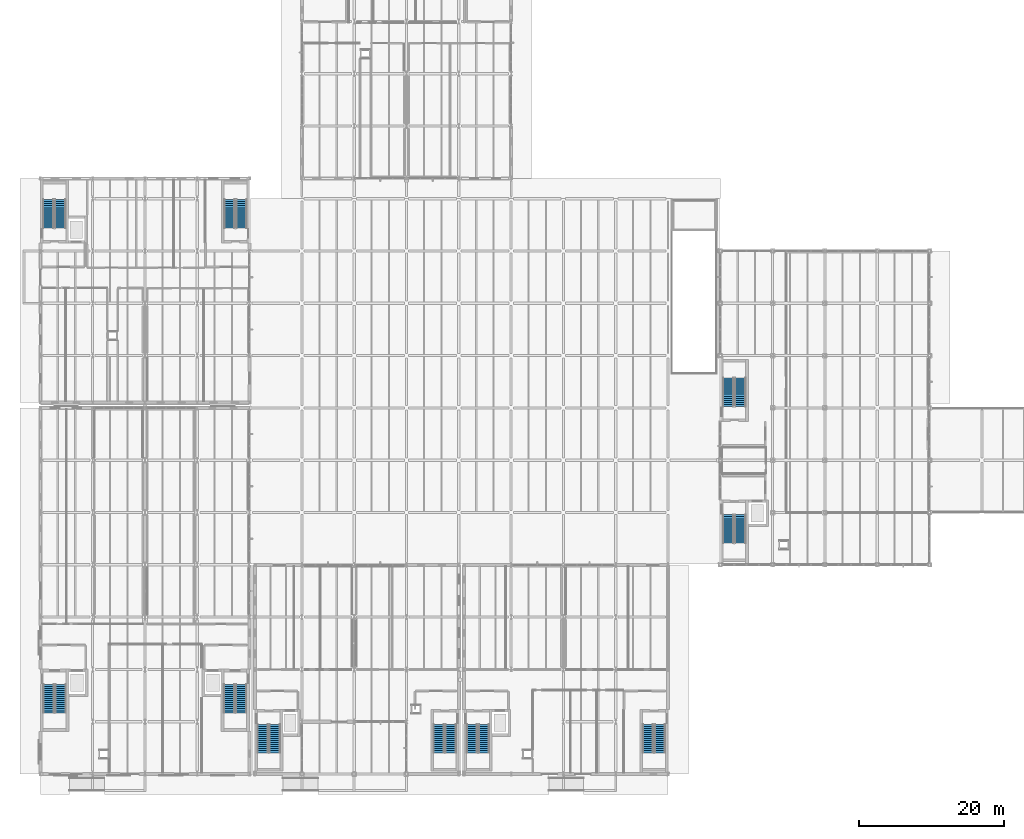
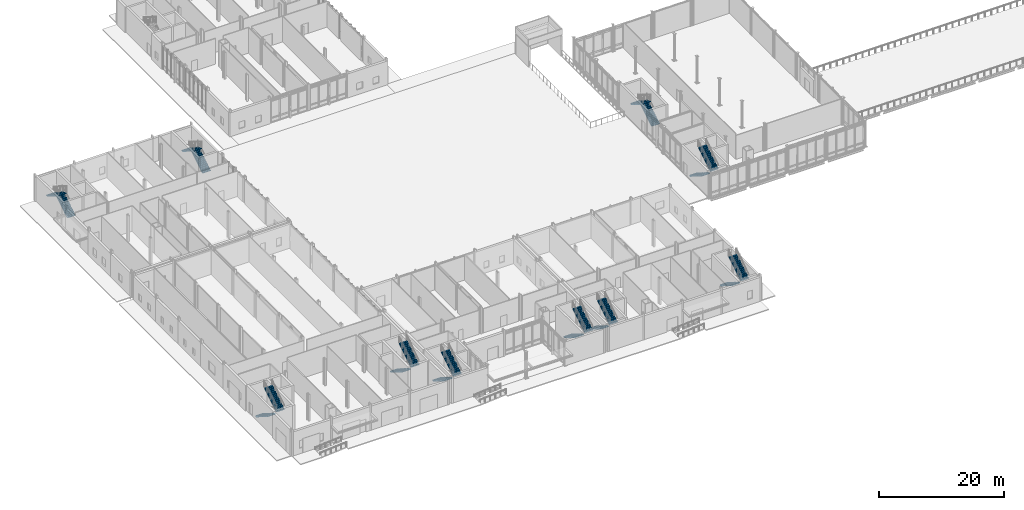
# One storey, part 71 of 89: 20 stair flights, 10 elements without a shape of their own.
"""IFC4 building model written with IfcOpenShell, lengths in metres."""

from ifc_helpers import new_model, si_unit, direction, frame, origin, place, context, subcontext, project, spatial, polyline, outline, extrude, material, type_object, element, aggregate, save


model = new_model("IFC4")

# Units and contexts
model_context = context("Model", 3, precision=1e-05, world=origin(), true_north=direction((0.0, 1.0)))
body_context = subcontext(model_context, "Body", "Model", "MODEL_VIEW")
ifc_project = project(units=[si_unit("LENGTHUNIT", "METRE"), si_unit("AREAUNIT", "SQUARE_METRE"), si_unit("VOLUMEUNIT", "CUBIC_METRE"), si_unit("PLANEANGLEUNIT", "RADIAN"), si_unit("MASSUNIT", "GRAM", prefix="KILO")], contexts=[model_context])

# Site, building, storey
site_placement = place(None, origin())
site = spatial("IfcSite", under=ifc_project, at=site_placement, CompositionType="ELEMENT")
building_placement = place(site_placement, origin())
building = spatial("IfcBuilding", under=site, at=building_placement, Name="Zarrinpeak Specialist Clinic", CompositionType="ELEMENT")
storey_placement = place(building_placement, origin())
storey = spatial("IfcBuildingStorey", under=building, at=storey_placement, Name="L00", CompositionType="ELEMENT", Elevation=0.0)

# Stair, stair flights
ifc_material = material(Name="Concrete C35/45", Category="concrete")
stair_type = type_object("IfcStairType", Name="ST-DOG", PredefinedType="HALF_TURN_STAIR", material=ifc_material)
stair_1_placement = place(storey_placement, origin())
stair_1 = element("IfcStair", 1, at=stair_1_placement, inside=storey, type_object=stair_type, Name="L00 Protected Exit Stair ST-01", PredefinedType="HALF_TURN_STAIR")
stair_flight_type = type_object("IfcStairFlightType", Name="STF-150", PredefinedType="STRAIGHT", material=ifc_material)
stair_flight_1_placement = place(storey_placement, frame((1.14990234375, 12.35009765625, 0.0), z_axis=(0.0, 0.0, 1.0), x_axis=(0.0, -1.0, 0.0)))
stair_flight_1 = element("IfcStairFlight", 2, at=stair_flight_1_placement, type_object=stair_flight_type, Name="ST-01 flight 1", NumberOfRisers=15, NumberOfTreads=14, PredefinedType="STRAIGHT", RiserHeight=0.173333333, TreadLength=0.28, context=body_context, shape_type="SweptSolid", body=[
    extrude(outline(polyline([(0.0, 0.0), (0.0, 0.17333984375), (0.280029296875, 0.17333984375), (0.280029296875, 0.3466796875), (0.56005859375, 0.3466796875), (0.56005859375, 0.52001953125), (0.840087890625, 0.52001953125), (0.840087890625, 0.693359375), (1.1201171875, 0.693359375), (1.1201171875, 0.86669921875), (1.39990234375, 0.86669921875), (1.39990234375, 1.0400390625), (1.679931640625, 1.0400390625), (1.679931640625, 1.21337890625), (1.9599609375, 1.21337890625), (1.9599609375, 1.38671875), (2.239990234375, 1.38671875), (2.239990234375, 1.56005859375), (2.52001953125, 1.56005859375), (2.52001953125, 1.7333984375), (2.800048828125, 1.7333984375), (2.800048828125, 1.90673828125), (3.080078125, 1.90673828125), (3.080078125, 2.080078125), (3.360107421875, 2.080078125), (3.360107421875, 2.25341796875), (3.639892578125, 2.25341796875), (3.639892578125, 2.4267578125), (3.919921875, 2.4267578125), (3.919921875, 2.60009765625), (3.919921875, 2.250244140625), (0.284912109375, 0.0), (0.0, 0.0)])), frame((0.0, 0.75, 0.0), z_axis=(0.0, -1.0, 0.0), x_axis=(1.0, 0.0, 0.0)), (0.0, 0.0, 1.0), 1.5),
])
stair_flight_2_placement = place(storey_placement, frame((2.800048828125, 8.429931640625, 2.60009765625), z_axis=(0.0, 0.0, 1.0), x_axis=(0.0, 1.0, 0.0)))
stair_flight_2 = element("IfcStairFlight", 3, at=stair_flight_2_placement, type_object=stair_flight_type, Name="ST-01 flight 2", NumberOfRisers=15, NumberOfTreads=14, PredefinedType="STRAIGHT", RiserHeight=0.173333333, TreadLength=0.28, context=body_context, shape_type="SweptSolid", body=[
    extrude(outline(polyline([(0.0, 0.0), (0.0, 0.17333984375), (0.280029296875, 0.17333984375), (0.280029296875, 0.3466796875), (0.56005859375, 0.3466796875), (0.56005859375, 0.52001953125), (0.840087890625, 0.52001953125), (0.840087890625, 0.693359375), (1.1201171875, 0.693359375), (1.1201171875, 0.86669921875), (1.39990234375, 0.86669921875), (1.39990234375, 1.0400390625), (1.679931640625, 1.0400390625), (1.679931640625, 1.21337890625), (1.9599609375, 1.21337890625), (1.9599609375, 1.38671875), (2.239990234375, 1.38671875), (2.239990234375, 1.56005859375), (2.52001953125, 1.56005859375), (2.52001953125, 1.7333984375), (2.800048828125, 1.7333984375), (2.800048828125, 1.90673828125), (3.080078125, 1.90673828125), (3.080078125, 2.080078125), (3.360107421875, 2.080078125), (3.360107421875, 2.25341796875), (3.639892578125, 2.25341796875), (3.639892578125, 2.4267578125), (3.919921875, 2.4267578125), (3.919921875, 2.60009765625), (3.919921875, 2.250244140625), (0.284912109375, 0.0), (0.0, 0.0)])), frame((0.0, 0.75, 0.0), z_axis=(0.0, -1.0, 0.0), x_axis=(1.0, 0.0, 0.0)), (0.0, 0.0, 1.0), 1.5),
])
aggregate(stair_1, [stair_flight_1, stair_flight_2])

stair_2_placement = place(storey_placement, origin())
stair_2 = element("IfcStair", 4, at=stair_2_placement, inside=storey, type_object=stair_type, Name="L00 Protected Exit Stair ST-02", PredefinedType="HALF_TURN_STAIR")
stair_flight_3_placement = place(storey_placement, frame((26.0, 12.35009765625, 0.0), z_axis=(0.0, 0.0, 1.0), x_axis=(0.0, -1.0, 0.0)))
stair_flight_3 = element("IfcStairFlight", 5, at=stair_flight_3_placement, type_object=stair_flight_type, Name="ST-02 flight 1", NumberOfRisers=15, NumberOfTreads=14, PredefinedType="STRAIGHT", RiserHeight=0.173333333, TreadLength=0.28, context=body_context, shape_type="SweptSolid", body=[
    extrude(outline(polyline([(0.0, 0.0), (0.0, 0.17333984375), (0.280029296875, 0.17333984375), (0.280029296875, 0.3466796875), (0.56005859375, 0.3466796875), (0.56005859375, 0.52001953125), (0.840087890625, 0.52001953125), (0.840087890625, 0.693359375), (1.1201171875, 0.693359375), (1.1201171875, 0.86669921875), (1.39990234375, 0.86669921875), (1.39990234375, 1.0400390625), (1.679931640625, 1.0400390625), (1.679931640625, 1.21337890625), (1.9599609375, 1.21337890625), (1.9599609375, 1.38671875), (2.239990234375, 1.38671875), (2.239990234375, 1.56005859375), (2.52001953125, 1.56005859375), (2.52001953125, 1.7333984375), (2.800048828125, 1.7333984375), (2.800048828125, 1.90673828125), (3.080078125, 1.90673828125), (3.080078125, 2.080078125), (3.360107421875, 2.080078125), (3.360107421875, 2.25341796875), (3.639892578125, 2.25341796875), (3.639892578125, 2.4267578125), (3.919921875, 2.4267578125), (3.919921875, 2.60009765625), (3.919921875, 2.250244140625), (0.284912109375, 0.0), (0.0, 0.0)])), frame((0.0, 0.75, 0.0), z_axis=(0.0, -1.0, 0.0), x_axis=(1.0, 0.0, 0.0)), (0.0, 0.0, 1.0), 1.5),
])
stair_flight_4_placement = place(storey_placement, frame((27.64990234375, 8.429931640625, 2.60009765625), z_axis=(0.0, 0.0, 1.0), x_axis=(0.0, 1.0, 0.0)))
stair_flight_4 = element("IfcStairFlight", 6, at=stair_flight_4_placement, type_object=stair_flight_type, Name="ST-02 flight 2", NumberOfRisers=15, NumberOfTreads=14, PredefinedType="STRAIGHT", RiserHeight=0.173333333, TreadLength=0.28, context=body_context, shape_type="SweptSolid", body=[
    extrude(outline(polyline([(0.0, 0.0), (0.0, 0.17333984375), (0.280029296875, 0.17333984375), (0.280029296875, 0.3466796875), (0.56005859375, 0.3466796875), (0.56005859375, 0.52001953125), (0.840087890625, 0.52001953125), (0.840087890625, 0.693359375), (1.1201171875, 0.693359375), (1.1201171875, 0.86669921875), (1.39990234375, 0.86669921875), (1.39990234375, 1.0400390625), (1.679931640625, 1.0400390625), (1.679931640625, 1.21337890625), (1.9599609375, 1.21337890625), (1.9599609375, 1.38671875), (2.239990234375, 1.38671875), (2.239990234375, 1.56005859375), (2.52001953125, 1.56005859375), (2.52001953125, 1.7333984375), (2.800048828125, 1.7333984375), (2.800048828125, 1.90673828125), (3.080078125, 1.90673828125), (3.080078125, 2.080078125), (3.360107421875, 2.080078125), (3.360107421875, 2.25341796875), (3.639892578125, 2.25341796875), (3.639892578125, 2.4267578125), (3.919921875, 2.4267578125), (3.919921875, 2.60009765625), (3.919921875, 2.250244140625), (0.284912109375, 0.0), (0.0, 0.0)])), frame((0.0, 0.75, 0.0), z_axis=(0.0, -1.0, 0.0), x_axis=(1.0, 0.0, 0.0)), (0.0, 0.0, 1.0), 1.5),
])
aggregate(stair_2, [stair_flight_3, stair_flight_4])

stair_3_placement = place(storey_placement, origin())
stair_3 = element("IfcStair", 7, at=stair_3_placement, inside=storey, type_object=stair_type, Name="L00 Protected Exit Stair ST-03", PredefinedType="HALF_TURN_STAIR")
stair_flight_5_placement = place(storey_placement, frame((30.6201171875, 6.85009765625, 0.0), z_axis=(0.0, 0.0, 1.0), x_axis=(0.0, -1.0, 0.0)))
stair_flight_5 = element("IfcStairFlight", 8, at=stair_flight_5_placement, type_object=stair_flight_type, Name="ST-03 flight 1", NumberOfRisers=15, NumberOfTreads=14, PredefinedType="STRAIGHT", RiserHeight=0.173333333, TreadLength=0.28, context=body_context, shape_type="SweptSolid", body=[
    extrude(outline(polyline([(0.0, 0.0), (0.0, 0.17333984375), (0.280029296875, 0.17333984375), (0.280029296875, 0.3466796875), (0.56005859375, 0.3466796875), (0.56005859375, 0.52001953125), (0.840087890625, 0.52001953125), (0.840087890625, 0.693359375), (1.1201171875, 0.693359375), (1.1201171875, 0.86669921875), (1.39990234375, 0.86669921875), (1.39990234375, 1.0400390625), (1.679931640625, 1.0400390625), (1.679931640625, 1.21337890625), (1.9599609375, 1.21337890625), (1.9599609375, 1.38671875), (2.239990234375, 1.38671875), (2.239990234375, 1.56005859375), (2.52001953125, 1.56005859375), (2.52001953125, 1.7333984375), (2.800048828125, 1.7333984375), (2.800048828125, 1.90673828125), (3.080078125, 1.90673828125), (3.080078125, 2.080078125), (3.360107421875, 2.080078125), (3.360107421875, 2.25341796875), (3.639892578125, 2.25341796875), (3.639892578125, 2.4267578125), (3.919921875, 2.4267578125), (3.919921875, 2.60009765625), (3.919921875, 2.250244140625), (0.284912109375, 0.0), (0.0, 0.0)])), frame((0.0, 0.75, 0.0), z_axis=(0.0, -1.0, 0.0), x_axis=(1.0, 0.0, 0.0)), (0.0, 0.0, 1.0), 1.5),
])
stair_flight_6_placement = place(storey_placement, frame((32.27001953125, 2.929931640625, 2.60009765625), z_axis=(0.0, 0.0, 1.0), x_axis=(0.0, 1.0, 0.0)))
stair_flight_6 = element("IfcStairFlight", 9, at=stair_flight_6_placement, type_object=stair_flight_type, Name="ST-03 flight 2", NumberOfRisers=15, NumberOfTreads=14, PredefinedType="STRAIGHT", RiserHeight=0.173333333, TreadLength=0.28, context=body_context, shape_type="SweptSolid", body=[
    extrude(outline(polyline([(0.0, 0.0), (0.0, 0.17333984375), (0.280029296875, 0.17333984375), (0.280029296875, 0.3466796875), (0.56005859375, 0.3466796875), (0.56005859375, 0.52001953125), (0.840087890625, 0.52001953125), (0.840087890625, 0.693359375), (1.1201171875, 0.693359375), (1.1201171875, 0.86669921875), (1.39990234375, 0.86669921875), (1.39990234375, 1.0400390625), (1.679931640625, 1.0400390625), (1.679931640625, 1.21337890625), (1.9599609375, 1.21337890625), (1.9599609375, 1.38671875), (2.239990234375, 1.38671875), (2.239990234375, 1.56005859375), (2.52001953125, 1.56005859375), (2.52001953125, 1.7333984375), (2.800048828125, 1.7333984375), (2.800048828125, 1.90673828125), (3.080078125, 1.90673828125), (3.080078125, 2.080078125), (3.360107421875, 2.080078125), (3.360107421875, 2.25341796875), (3.639892578125, 2.25341796875), (3.639892578125, 2.4267578125), (3.919921875, 2.4267578125), (3.919921875, 2.60009765625), (3.919921875, 2.250244140625), (0.284912109375, 0.0), (0.0, 0.0)])), frame((0.0, 0.75, 0.0), z_axis=(0.0, -1.0, 0.0), x_axis=(1.0, 0.0, 0.0)), (0.0, 0.0, 1.0), 1.5),
])
aggregate(stair_3, [stair_flight_5, stair_flight_6])

stair_4_placement = place(storey_placement, origin())
stair_4 = element("IfcStair", 10, at=stair_4_placement, inside=storey, type_object=stair_type, Name="L00 Protected Exit Stair ST-04", PredefinedType="HALF_TURN_STAIR")
stair_flight_7_placement = place(storey_placement, frame((54.85009765625, 6.85009765625, 0.0), z_axis=(0.0, 0.0, 1.0), x_axis=(0.0, -1.0, 0.0)))
stair_flight_7 = element("IfcStairFlight", 11, at=stair_flight_7_placement, type_object=stair_flight_type, Name="ST-04 flight 1", NumberOfRisers=15, NumberOfTreads=14, PredefinedType="STRAIGHT", RiserHeight=0.173333333, TreadLength=0.28, context=body_context, shape_type="SweptSolid", body=[
    extrude(outline(polyline([(0.0, 0.0), (0.0, 0.17333984375), (0.280029296875, 0.17333984375), (0.280029296875, 0.3466796875), (0.56005859375, 0.3466796875), (0.56005859375, 0.52001953125), (0.840087890625, 0.52001953125), (0.840087890625, 0.693359375), (1.1201171875, 0.693359375), (1.1201171875, 0.86669921875), (1.39990234375, 0.86669921875), (1.39990234375, 1.0400390625), (1.679931640625, 1.0400390625), (1.679931640625, 1.21337890625), (1.9599609375, 1.21337890625), (1.9599609375, 1.38671875), (2.239990234375, 1.38671875), (2.239990234375, 1.56005859375), (2.52001953125, 1.56005859375), (2.52001953125, 1.7333984375), (2.800048828125, 1.7333984375), (2.800048828125, 1.90673828125), (3.080078125, 1.90673828125), (3.080078125, 2.080078125), (3.360107421875, 2.080078125), (3.360107421875, 2.25341796875), (3.639892578125, 2.25341796875), (3.639892578125, 2.4267578125), (3.919921875, 2.4267578125), (3.919921875, 2.60009765625), (3.919921875, 2.250244140625), (0.284912109375, 0.0), (0.0, 0.0)])), frame((0.0, 0.75, 0.0), z_axis=(0.0, -1.0, 0.0), x_axis=(1.0, 0.0, 0.0)), (0.0, 0.0, 1.0), 1.5),
])
stair_flight_8_placement = place(storey_placement, frame((56.5, 2.929931640625, 2.60009765625), z_axis=(0.0, 0.0, 1.0), x_axis=(0.0, 1.0, 0.0)))
stair_flight_8 = element("IfcStairFlight", 12, at=stair_flight_8_placement, type_object=stair_flight_type, Name="ST-04 flight 2", NumberOfRisers=15, NumberOfTreads=14, PredefinedType="STRAIGHT", RiserHeight=0.173333333, TreadLength=0.28, context=body_context, shape_type="SweptSolid", body=[
    extrude(outline(polyline([(0.0, 0.0), (0.0, 0.17333984375), (0.280029296875, 0.17333984375), (0.280029296875, 0.3466796875), (0.56005859375, 0.3466796875), (0.56005859375, 0.52001953125), (0.840087890625, 0.52001953125), (0.840087890625, 0.693359375), (1.1201171875, 0.693359375), (1.1201171875, 0.86669921875), (1.39990234375, 0.86669921875), (1.39990234375, 1.0400390625), (1.679931640625, 1.0400390625), (1.679931640625, 1.21337890625), (1.9599609375, 1.21337890625), (1.9599609375, 1.38671875), (2.239990234375, 1.38671875), (2.239990234375, 1.56005859375), (2.52001953125, 1.56005859375), (2.52001953125, 1.7333984375), (2.800048828125, 1.7333984375), (2.800048828125, 1.90673828125), (3.080078125, 1.90673828125), (3.080078125, 2.080078125), (3.360107421875, 2.080078125), (3.360107421875, 2.25341796875), (3.639892578125, 2.25341796875), (3.639892578125, 2.4267578125), (3.919921875, 2.4267578125), (3.919921875, 2.60009765625), (3.919921875, 2.250244140625), (0.284912109375, 0.0), (0.0, 0.0)])), frame((0.0, 0.75, 0.0), z_axis=(0.0, -1.0, 0.0), x_axis=(1.0, 0.0, 0.0)), (0.0, 0.0, 1.0), 1.5),
])
aggregate(stair_4, [stair_flight_7, stair_flight_8])

stair_5_placement = place(storey_placement, origin())
stair_5 = element("IfcStair", 13, at=stair_5_placement, inside=storey, type_object=stair_type, Name="L00 Protected Exit Stair ST-05", PredefinedType="HALF_TURN_STAIR")
stair_flight_9_placement = place(storey_placement, frame((94.699951171875, 35.699951171875, 0.0), z_axis=(0.0, 0.0, 1.0), x_axis=(0.0, -1.0, 0.0)))
stair_flight_9 = element("IfcStairFlight", 14, at=stair_flight_9_placement, type_object=stair_flight_type, Name="ST-05 flight 1", NumberOfRisers=15, NumberOfTreads=14, PredefinedType="STRAIGHT", RiserHeight=0.173333333, TreadLength=0.28, context=body_context, shape_type="SweptSolid", body=[
    extrude(outline(polyline([(0.0, 0.0), (0.0, 0.17333984375), (0.280029296875, 0.17333984375), (0.280029296875, 0.3466796875), (0.56005859375, 0.3466796875), (0.56005859375, 0.52001953125), (0.840087890625, 0.52001953125), (0.840087890625, 0.693359375), (1.1201171875, 0.693359375), (1.1201171875, 0.86669921875), (1.39990234375, 0.86669921875), (1.39990234375, 1.0400390625), (1.679931640625, 1.0400390625), (1.679931640625, 1.21337890625), (1.9599609375, 1.21337890625), (1.9599609375, 1.38671875), (2.239990234375, 1.38671875), (2.239990234375, 1.56005859375), (2.52001953125, 1.56005859375), (2.52001953125, 1.7333984375), (2.800048828125, 1.7333984375), (2.800048828125, 1.90673828125), (3.080078125, 1.90673828125), (3.080078125, 2.080078125), (3.360107421875, 2.080078125), (3.360107421875, 2.25341796875), (3.639892578125, 2.25341796875), (3.639892578125, 2.4267578125), (3.919921875, 2.4267578125), (3.919921875, 2.60009765625), (3.919921875, 2.250244140625), (0.284912109375, 0.0), (0.0, 0.0)])), frame((0.0, 0.75, 0.0), z_axis=(0.0, -1.0, 0.0), x_axis=(1.0, 0.0, 0.0)), (0.0, 0.0, 1.0), 1.5),
])
stair_flight_10_placement = place(storey_placement, frame((96.35009765625, 31.780029296875, 2.60009765625), z_axis=(0.0, 0.0, 1.0), x_axis=(0.0, 1.0, 0.0)))
stair_flight_10 = element("IfcStairFlight", 15, at=stair_flight_10_placement, type_object=stair_flight_type, Name="ST-05 flight 2", NumberOfRisers=15, NumberOfTreads=14, PredefinedType="STRAIGHT", RiserHeight=0.173333333, TreadLength=0.28, context=body_context, shape_type="SweptSolid", body=[
    extrude(outline(polyline([(0.0, 0.0), (0.0, 0.17333984375), (0.280029296875, 0.17333984375), (0.280029296875, 0.3466796875), (0.56005859375, 0.3466796875), (0.56005859375, 0.52001953125), (0.840087890625, 0.52001953125), (0.840087890625, 0.693359375), (1.1201171875, 0.693359375), (1.1201171875, 0.86669921875), (1.39990234375, 0.86669921875), (1.39990234375, 1.0400390625), (1.679931640625, 1.0400390625), (1.679931640625, 1.21337890625), (1.9599609375, 1.21337890625), (1.9599609375, 1.38671875), (2.239990234375, 1.38671875), (2.239990234375, 1.56005859375), (2.52001953125, 1.56005859375), (2.52001953125, 1.7333984375), (2.800048828125, 1.7333984375), (2.800048828125, 1.90673828125), (3.080078125, 1.90673828125), (3.080078125, 2.080078125), (3.360107421875, 2.080078125), (3.360107421875, 2.25341796875), (3.639892578125, 2.25341796875), (3.639892578125, 2.4267578125), (3.919921875, 2.4267578125), (3.919921875, 2.60009765625), (3.919921875, 2.250244140625), (0.284912109375, 0.0), (0.0, 0.0)])), frame((0.0, 0.75, 0.0), z_axis=(0.0, -1.0, 0.0), x_axis=(1.0, 0.0, 0.0)), (0.0, 0.0, 1.0), 1.5),
])
aggregate(stair_5, [stair_flight_9, stair_flight_10])

stair_6_placement = place(storey_placement, origin())
stair_6 = element("IfcStair", 16, at=stair_6_placement, inside=storey, type_object=stair_type, Name="L00 Protected Exit Stair ST-06", PredefinedType="HALF_TURN_STAIR")
stair_flight_11_placement = place(storey_placement, frame((96.35009765625, 50.60009765625, 0.0), z_axis=(0.0, 0.0, 1.0), x_axis=(0.0, 1.0, 0.0)))
stair_flight_11 = element("IfcStairFlight", 17, at=stair_flight_11_placement, type_object=stair_flight_type, Name="ST-06 flight 1", NumberOfRisers=15, NumberOfTreads=14, PredefinedType="STRAIGHT", RiserHeight=0.173333333, TreadLength=0.28, context=body_context, shape_type="SweptSolid", body=[
    extrude(outline(polyline([(0.0, 0.0), (0.0, 0.17333984375), (0.280029296875, 0.17333984375), (0.280029296875, 0.3466796875), (0.56005859375, 0.3466796875), (0.56005859375, 0.52001953125), (0.840087890625, 0.52001953125), (0.840087890625, 0.693359375), (1.1201171875, 0.693359375), (1.1201171875, 0.86669921875), (1.39990234375, 0.86669921875), (1.39990234375, 1.0400390625), (1.679931640625, 1.0400390625), (1.679931640625, 1.21337890625), (1.9599609375, 1.21337890625), (1.9599609375, 1.38671875), (2.239990234375, 1.38671875), (2.239990234375, 1.56005859375), (2.52001953125, 1.56005859375), (2.52001953125, 1.7333984375), (2.800048828125, 1.7333984375), (2.800048828125, 1.90673828125), (3.080078125, 1.90673828125), (3.080078125, 2.080078125), (3.360107421875, 2.080078125), (3.360107421875, 2.25341796875), (3.639892578125, 2.25341796875), (3.639892578125, 2.4267578125), (3.919921875, 2.4267578125), (3.919921875, 2.60009765625), (3.919921875, 2.250244140625), (0.284912109375, 0.0), (0.0, 0.0)])), frame((0.0, 0.75, 0.0), z_axis=(0.0, -1.0, 0.0), x_axis=(1.0, 0.0, 0.0)), (0.0, 0.0, 1.0), 1.5),
])
stair_flight_12_placement = place(storey_placement, frame((94.699951171875, 54.52001953125, 2.60009765625), z_axis=(0.0, 0.0, 1.0), x_axis=(0.0, -1.0, 0.0)))
stair_flight_12 = element("IfcStairFlight", 18, at=stair_flight_12_placement, type_object=stair_flight_type, Name="ST-06 flight 2", NumberOfRisers=15, NumberOfTreads=14, PredefinedType="STRAIGHT", RiserHeight=0.173333333, TreadLength=0.28, context=body_context, shape_type="SweptSolid", body=[
    extrude(outline(polyline([(0.0, 0.0), (0.0, 0.17333984375), (0.280029296875, 0.17333984375), (0.280029296875, 0.3466796875), (0.56005859375, 0.3466796875), (0.56005859375, 0.52001953125), (0.840087890625, 0.52001953125), (0.840087890625, 0.693359375), (1.1201171875, 0.693359375), (1.1201171875, 0.86669921875), (1.39990234375, 0.86669921875), (1.39990234375, 1.0400390625), (1.679931640625, 1.0400390625), (1.679931640625, 1.21337890625), (1.9599609375, 1.21337890625), (1.9599609375, 1.38671875), (2.239990234375, 1.38671875), (2.239990234375, 1.56005859375), (2.52001953125, 1.56005859375), (2.52001953125, 1.7333984375), (2.800048828125, 1.7333984375), (2.800048828125, 1.90673828125), (3.080078125, 1.90673828125), (3.080078125, 2.080078125), (3.360107421875, 2.080078125), (3.360107421875, 2.25341796875), (3.639892578125, 2.25341796875), (3.639892578125, 2.4267578125), (3.919921875, 2.4267578125), (3.919921875, 2.60009765625), (3.919921875, 2.250244140625), (0.284912109375, 0.0), (0.0, 0.0)])), frame((0.0, 0.75, 0.0), z_axis=(0.0, -1.0, 0.0), x_axis=(1.0, 0.0, 0.0)), (0.0, 0.0, 1.0), 1.5),
])
aggregate(stair_6, [stair_flight_11, stair_flight_12])

stair_7_placement = place(storey_placement, origin())
stair_7 = element("IfcStair", 19, at=stair_7_placement, inside=storey, type_object=stair_type, Name="L00 Protected Exit Stair ST-07", PredefinedType="HALF_TURN_STAIR")
stair_flight_13_placement = place(storey_placement, frame((59.419921875, 6.85009765625, 0.0), z_axis=(0.0, 0.0, 1.0), x_axis=(0.0, -1.0, 0.0)))
stair_flight_13 = element("IfcStairFlight", 20, at=stair_flight_13_placement, type_object=stair_flight_type, Name="ST-07 flight 1", NumberOfRisers=15, NumberOfTreads=14, PredefinedType="STRAIGHT", RiserHeight=0.173333333, TreadLength=0.28, context=body_context, shape_type="SweptSolid", body=[
    extrude(outline(polyline([(0.0, 0.0), (0.0, 0.17333984375), (0.280029296875, 0.17333984375), (0.280029296875, 0.3466796875), (0.56005859375, 0.3466796875), (0.56005859375, 0.52001953125), (0.840087890625, 0.52001953125), (0.840087890625, 0.693359375), (1.1201171875, 0.693359375), (1.1201171875, 0.86669921875), (1.39990234375, 0.86669921875), (1.39990234375, 1.0400390625), (1.679931640625, 1.0400390625), (1.679931640625, 1.21337890625), (1.9599609375, 1.21337890625), (1.9599609375, 1.38671875), (2.239990234375, 1.38671875), (2.239990234375, 1.56005859375), (2.52001953125, 1.56005859375), (2.52001953125, 1.7333984375), (2.800048828125, 1.7333984375), (2.800048828125, 1.90673828125), (3.080078125, 1.90673828125), (3.080078125, 2.080078125), (3.360107421875, 2.080078125), (3.360107421875, 2.25341796875), (3.639892578125, 2.25341796875), (3.639892578125, 2.4267578125), (3.919921875, 2.4267578125), (3.919921875, 2.60009765625), (3.919921875, 2.250244140625), (0.284912109375, 0.0), (0.0, 0.0)])), frame((0.0, 0.75, 0.0), z_axis=(0.0, -1.0, 0.0), x_axis=(1.0, 0.0, 0.0)), (0.0, 0.0, 1.0), 1.5),
])
stair_flight_14_placement = place(storey_placement, frame((61.070068359375, 2.929931640625, 2.60009765625), z_axis=(0.0, 0.0, 1.0), x_axis=(0.0, 1.0, 0.0)))
stair_flight_14 = element("IfcStairFlight", 21, at=stair_flight_14_placement, type_object=stair_flight_type, Name="ST-07 flight 2", NumberOfRisers=15, NumberOfTreads=14, PredefinedType="STRAIGHT", RiserHeight=0.173333333, TreadLength=0.28, context=body_context, shape_type="SweptSolid", body=[
    extrude(outline(polyline([(0.0, 0.0), (0.0, 0.17333984375), (0.280029296875, 0.17333984375), (0.280029296875, 0.3466796875), (0.56005859375, 0.3466796875), (0.56005859375, 0.52001953125), (0.840087890625, 0.52001953125), (0.840087890625, 0.693359375), (1.1201171875, 0.693359375), (1.1201171875, 0.86669921875), (1.39990234375, 0.86669921875), (1.39990234375, 1.0400390625), (1.679931640625, 1.0400390625), (1.679931640625, 1.21337890625), (1.9599609375, 1.21337890625), (1.9599609375, 1.38671875), (2.239990234375, 1.38671875), (2.239990234375, 1.56005859375), (2.52001953125, 1.56005859375), (2.52001953125, 1.7333984375), (2.800048828125, 1.7333984375), (2.800048828125, 1.90673828125), (3.080078125, 1.90673828125), (3.080078125, 2.080078125), (3.360107421875, 2.080078125), (3.360107421875, 2.25341796875), (3.639892578125, 2.25341796875), (3.639892578125, 2.4267578125), (3.919921875, 2.4267578125), (3.919921875, 2.60009765625), (3.919921875, 2.250244140625), (0.284912109375, 0.0), (0.0, 0.0)])), frame((0.0, 0.75, 0.0), z_axis=(0.0, -1.0, 0.0), x_axis=(1.0, 0.0, 0.0)), (0.0, 0.0, 1.0), 1.5),
])
aggregate(stair_7, [stair_flight_13, stair_flight_14])

stair_8_placement = place(storey_placement, origin())
stair_8 = element("IfcStair", 22, at=stair_8_placement, inside=storey, type_object=stair_type, Name="L00 Protected Exit Stair ST-08", PredefinedType="HALF_TURN_STAIR")
stair_flight_15_placement = place(storey_placement, frame((83.64990234375, 6.85009765625, 0.0), z_axis=(0.0, 0.0, 1.0), x_axis=(0.0, -1.0, 0.0)))
stair_flight_15 = element("IfcStairFlight", 23, at=stair_flight_15_placement, type_object=stair_flight_type, Name="ST-08 flight 1", NumberOfRisers=15, NumberOfTreads=14, PredefinedType="STRAIGHT", RiserHeight=0.173333333, TreadLength=0.28, context=body_context, shape_type="SweptSolid", body=[
    extrude(outline(polyline([(0.0, 0.0), (0.0, 0.17333984375), (0.280029296875, 0.17333984375), (0.280029296875, 0.3466796875), (0.56005859375, 0.3466796875), (0.56005859375, 0.52001953125), (0.840087890625, 0.52001953125), (0.840087890625, 0.693359375), (1.1201171875, 0.693359375), (1.1201171875, 0.86669921875), (1.39990234375, 0.86669921875), (1.39990234375, 1.0400390625), (1.679931640625, 1.0400390625), (1.679931640625, 1.21337890625), (1.9599609375, 1.21337890625), (1.9599609375, 1.38671875), (2.239990234375, 1.38671875), (2.239990234375, 1.56005859375), (2.52001953125, 1.56005859375), (2.52001953125, 1.7333984375), (2.800048828125, 1.7333984375), (2.800048828125, 1.90673828125), (3.080078125, 1.90673828125), (3.080078125, 2.080078125), (3.360107421875, 2.080078125), (3.360107421875, 2.25341796875), (3.639892578125, 2.25341796875), (3.639892578125, 2.4267578125), (3.919921875, 2.4267578125), (3.919921875, 2.60009765625), (3.919921875, 2.250244140625), (0.284912109375, 0.0), (0.0, 0.0)])), frame((0.0, 0.75, 0.0), z_axis=(0.0, -1.0, 0.0), x_axis=(1.0, 0.0, 0.0)), (0.0, 0.0, 1.0), 1.5),
])
stair_flight_16_placement = place(storey_placement, frame((85.300048828125, 2.929931640625, 2.60009765625), z_axis=(0.0, 0.0, 1.0), x_axis=(0.0, 1.0, 0.0)))
stair_flight_16 = element("IfcStairFlight", 24, at=stair_flight_16_placement, type_object=stair_flight_type, Name="ST-08 flight 2", NumberOfRisers=15, NumberOfTreads=14, PredefinedType="STRAIGHT", RiserHeight=0.173333333, TreadLength=0.28, context=body_context, shape_type="SweptSolid", body=[
    extrude(outline(polyline([(0.0, 0.0), (0.0, 0.17333984375), (0.280029296875, 0.17333984375), (0.280029296875, 0.3466796875), (0.56005859375, 0.3466796875), (0.56005859375, 0.52001953125), (0.840087890625, 0.52001953125), (0.840087890625, 0.693359375), (1.1201171875, 0.693359375), (1.1201171875, 0.86669921875), (1.39990234375, 0.86669921875), (1.39990234375, 1.0400390625), (1.679931640625, 1.0400390625), (1.679931640625, 1.21337890625), (1.9599609375, 1.21337890625), (1.9599609375, 1.38671875), (2.239990234375, 1.38671875), (2.239990234375, 1.56005859375), (2.52001953125, 1.56005859375), (2.52001953125, 1.7333984375), (2.800048828125, 1.7333984375), (2.800048828125, 1.90673828125), (3.080078125, 1.90673828125), (3.080078125, 2.080078125), (3.360107421875, 2.080078125), (3.360107421875, 2.25341796875), (3.639892578125, 2.25341796875), (3.639892578125, 2.4267578125), (3.919921875, 2.4267578125), (3.919921875, 2.60009765625), (3.919921875, 2.250244140625), (0.284912109375, 0.0), (0.0, 0.0)])), frame((0.0, 0.75, 0.0), z_axis=(0.0, -1.0, 0.0), x_axis=(1.0, 0.0, 0.0)), (0.0, 0.0, 1.0), 1.5),
])
aggregate(stair_8, [stair_flight_15, stair_flight_16])

stair_9_placement = place(storey_placement, origin())
stair_9 = element("IfcStair", 25, at=stair_9_placement, inside=storey, type_object=stair_type, Name="L00 Protected Exit Stair ST-09", PredefinedType="HALF_TURN_STAIR")
stair_flight_17_placement = place(storey_placement, frame((2.75, 75.14990234375, 0.0), z_axis=(0.0, 0.0, 1.0), x_axis=(0.0, 1.0, 0.0)))
stair_flight_17 = element("IfcStairFlight", 26, at=stair_flight_17_placement, type_object=stair_flight_type, Name="ST-09 flight 1", NumberOfRisers=15, NumberOfTreads=14, PredefinedType="STRAIGHT", RiserHeight=0.173333333, TreadLength=0.28, context=body_context, shape_type="SweptSolid", body=[
    extrude(outline(polyline([(0.0, 0.0), (0.0, 0.17333984375), (0.280029296875, 0.17333984375), (0.280029296875, 0.3466796875), (0.56005859375, 0.3466796875), (0.56005859375, 0.52001953125), (0.840087890625, 0.52001953125), (0.840087890625, 0.693359375), (1.1201171875, 0.693359375), (1.1201171875, 0.86669921875), (1.39990234375, 0.86669921875), (1.39990234375, 1.0400390625), (1.679931640625, 1.0400390625), (1.679931640625, 1.21337890625), (1.9599609375, 1.21337890625), (1.9599609375, 1.38671875), (2.239990234375, 1.38671875), (2.239990234375, 1.56005859375), (2.52001953125, 1.56005859375), (2.52001953125, 1.7333984375), (2.800048828125, 1.7333984375), (2.800048828125, 1.90673828125), (3.080078125, 1.90673828125), (3.080078125, 2.080078125), (3.360107421875, 2.080078125), (3.360107421875, 2.25341796875), (3.639892578125, 2.25341796875), (3.639892578125, 2.4267578125), (3.919921875, 2.4267578125), (3.919921875, 2.60009765625), (3.919921875, 2.250244140625), (0.284912109375, 0.0), (0.0, 0.0)])), frame((0.0, 0.75, 0.0), z_axis=(0.0, -1.0, 0.0), x_axis=(1.0, 0.0, 0.0)), (0.0, 0.0, 1.0), 1.5),
])
stair_flight_18_placement = place(storey_placement, frame((1.10009765625, 79.070068359375, 2.60009765625), z_axis=(0.0, 0.0, 1.0), x_axis=(0.0, -1.0, 0.0)))
stair_flight_18 = element("IfcStairFlight", 27, at=stair_flight_18_placement, type_object=stair_flight_type, Name="ST-09 flight 2", NumberOfRisers=15, NumberOfTreads=14, PredefinedType="STRAIGHT", RiserHeight=0.173333333, TreadLength=0.28, context=body_context, shape_type="SweptSolid", body=[
    extrude(outline(polyline([(0.0, 0.0), (0.0, 0.17333984375), (0.280029296875, 0.17333984375), (0.280029296875, 0.3466796875), (0.56005859375, 0.3466796875), (0.56005859375, 0.52001953125), (0.840087890625, 0.52001953125), (0.840087890625, 0.693359375), (1.1201171875, 0.693359375), (1.1201171875, 0.86669921875), (1.39990234375, 0.86669921875), (1.39990234375, 1.0400390625), (1.679931640625, 1.0400390625), (1.679931640625, 1.21337890625), (1.9599609375, 1.21337890625), (1.9599609375, 1.38671875), (2.239990234375, 1.38671875), (2.239990234375, 1.56005859375), (2.52001953125, 1.56005859375), (2.52001953125, 1.7333984375), (2.800048828125, 1.7333984375), (2.800048828125, 1.90673828125), (3.080078125, 1.90673828125), (3.080078125, 2.080078125), (3.360107421875, 2.080078125), (3.360107421875, 2.25341796875), (3.639892578125, 2.25341796875), (3.639892578125, 2.4267578125), (3.919921875, 2.4267578125), (3.919921875, 2.60009765625), (3.919921875, 2.250244140625), (0.284912109375, 0.0), (0.0, 0.0)])), frame((0.0, 0.75, 0.0), z_axis=(0.0, -1.0, 0.0), x_axis=(1.0, 0.0, 0.0)), (0.0, 0.0, 1.0), 1.5),
])
aggregate(stair_9, [stair_flight_17, stair_flight_18])

stair_10_placement = place(storey_placement, origin())
stair_10 = element("IfcStair", 28, at=stair_10_placement, inside=storey, type_object=stair_type, Name="L00 Protected Exit Stair ST-10", PredefinedType="HALF_TURN_STAIR")
stair_flight_19_placement = place(storey_placement, frame((27.699951171875, 75.14990234375, 0.0), z_axis=(0.0, 0.0, 1.0), x_axis=(0.0, 1.0, 0.0)))
stair_flight_19 = element("IfcStairFlight", 29, at=stair_flight_19_placement, type_object=stair_flight_type, Name="ST-10 flight 1", NumberOfRisers=15, NumberOfTreads=14, PredefinedType="STRAIGHT", RiserHeight=0.173333333, TreadLength=0.28, context=body_context, shape_type="SweptSolid", body=[
    extrude(outline(polyline([(0.0, 0.0), (0.0, 0.17333984375), (0.280029296875, 0.17333984375), (0.280029296875, 0.3466796875), (0.56005859375, 0.3466796875), (0.56005859375, 0.52001953125), (0.840087890625, 0.52001953125), (0.840087890625, 0.693359375), (1.1201171875, 0.693359375), (1.1201171875, 0.86669921875), (1.39990234375, 0.86669921875), (1.39990234375, 1.0400390625), (1.679931640625, 1.0400390625), (1.679931640625, 1.21337890625), (1.9599609375, 1.21337890625), (1.9599609375, 1.38671875), (2.239990234375, 1.38671875), (2.239990234375, 1.56005859375), (2.52001953125, 1.56005859375), (2.52001953125, 1.7333984375), (2.800048828125, 1.7333984375), (2.800048828125, 1.90673828125), (3.080078125, 1.90673828125), (3.080078125, 2.080078125), (3.360107421875, 2.080078125), (3.360107421875, 2.25341796875), (3.639892578125, 2.25341796875), (3.639892578125, 2.4267578125), (3.919921875, 2.4267578125), (3.919921875, 2.60009765625), (3.919921875, 2.250244140625), (0.284912109375, 0.0), (0.0, 0.0)])), frame((0.0, 0.75, 0.0), z_axis=(0.0, -1.0, 0.0), x_axis=(1.0, 0.0, 0.0)), (0.0, 0.0, 1.0), 1.5),
])
stair_flight_20_placement = place(storey_placement, frame((26.050048828125, 79.070068359375, 2.60009765625), z_axis=(0.0, 0.0, 1.0), x_axis=(0.0, -1.0, 0.0)))
stair_flight_20 = element("IfcStairFlight", 30, at=stair_flight_20_placement, type_object=stair_flight_type, Name="ST-10 flight 2", NumberOfRisers=15, NumberOfTreads=14, PredefinedType="STRAIGHT", RiserHeight=0.173333333, TreadLength=0.28, context=body_context, shape_type="SweptSolid", body=[
    extrude(outline(polyline([(0.0, 0.0), (0.0, 0.17333984375), (0.280029296875, 0.17333984375), (0.280029296875, 0.3466796875), (0.56005859375, 0.3466796875), (0.56005859375, 0.52001953125), (0.840087890625, 0.52001953125), (0.840087890625, 0.693359375), (1.1201171875, 0.693359375), (1.1201171875, 0.86669921875), (1.39990234375, 0.86669921875), (1.39990234375, 1.0400390625), (1.679931640625, 1.0400390625), (1.679931640625, 1.21337890625), (1.9599609375, 1.21337890625), (1.9599609375, 1.38671875), (2.239990234375, 1.38671875), (2.239990234375, 1.56005859375), (2.52001953125, 1.56005859375), (2.52001953125, 1.7333984375), (2.800048828125, 1.7333984375), (2.800048828125, 1.90673828125), (3.080078125, 1.90673828125), (3.080078125, 2.080078125), (3.360107421875, 2.080078125), (3.360107421875, 2.25341796875), (3.639892578125, 2.25341796875), (3.639892578125, 2.4267578125), (3.919921875, 2.4267578125), (3.919921875, 2.60009765625), (3.919921875, 2.250244140625), (0.284912109375, 0.0), (0.0, 0.0)])), frame((0.0, 0.75, 0.0), z_axis=(0.0, -1.0, 0.0), x_axis=(1.0, 0.0, 0.0)), (0.0, 0.0, 1.0), 1.5),
])
aggregate(stair_10, [stair_flight_19, stair_flight_20])

save(model, "model.ifc")
